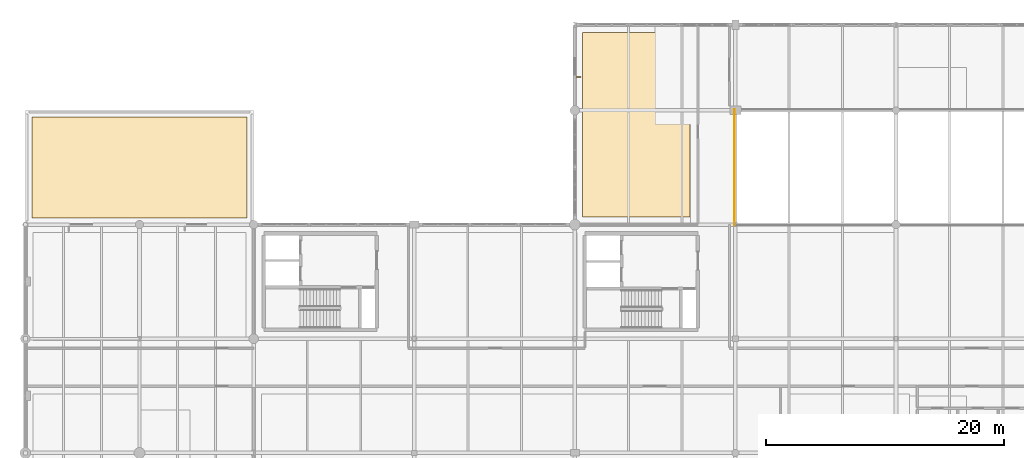
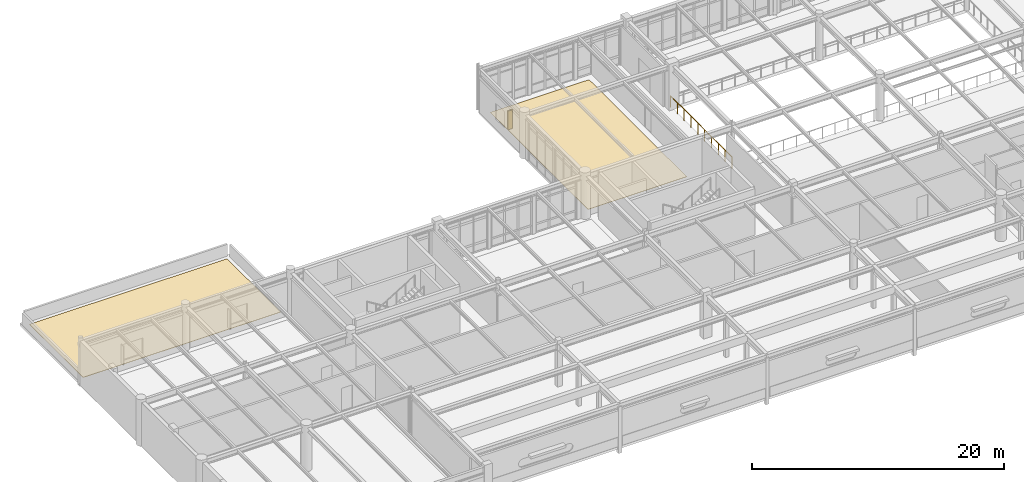
# One storey, part 57 of 61: 2 coverings, 1 railing, 1 shading device.
"""IFC4 building model written with IfcOpenShell, lengths in metres."""

from ifc_helpers import new_model, si_unit, direction, frame, origin, origin_2d, place, context, subcontext, project, spatial, polyline, rectangle, circle, outline, extrude, material, layer, layer_set, type_object, element, save


model = new_model("IFC4")

# Units and contexts
model_context = context("Model", 3, precision=1e-05, world=origin(), true_north=direction((0.0, 1.0)))
body_context = subcontext(model_context, "Body", "Model", "MODEL_VIEW")
ifc_project = project(units=[si_unit("LENGTHUNIT", "METRE"), si_unit("AREAUNIT", "SQUARE_METRE"), si_unit("VOLUMEUNIT", "CUBIC_METRE"), si_unit("PLANEANGLEUNIT", "RADIAN"), si_unit("MASSUNIT", "GRAM", prefix="KILO")], contexts=[model_context])

# Site, building, storey
site_placement = place(None, origin())
site = spatial("IfcSite", under=ifc_project, at=site_placement, CompositionType="ELEMENT")
building_placement = place(site_placement, origin())
building = spatial("IfcBuilding", under=site, at=building_placement, Name="Fikremerkos Civic Library", CompositionType="ELEMENT")
storey_placement = place(building_placement, frame((0.0, 0.0, 14.39990234375)))
storey = spatial("IfcBuildingStorey", under=building, at=storey_placement, Name="L03", CompositionType="ELEMENT", Elevation=14.39990234375)

# Covering
ifc_material_1 = material(Name="Polymer modified bitumen roofing")
ifc_layer_1 = layer(ifc_material_1, 0.034912109375, Name="Polymer modified bitumen roofing")
ifc_layer_set_1 = layer_set([ifc_layer_1], Name="Polymer modified bitumen roofing")
covering_type_1 = type_object("IfcCoveringType", Name="Insulated roof waterproofing membrane RFG-01", PredefinedType="ROOFING", material=ifc_layer_set_1)
covering_1_placement = place(storey_placement, origin())
element("IfcCovering", 1, at=covering_1_placement, inside=storey, type_object=covering_type_1, Name="Roof waterproofing membrane RFG-01 RF-L03-V5M", PredefinedType="ROOFING", context=body_context, shape_type="SweptSolid", body=[
    extrude(outline(polyline([(0.550048828125, 31.75), (18.64990234375, 31.75), (18.64990234375, 40.25), (0.550048828125, 40.25), (0.550048828125, 31.75)])), origin(), (0.0, 0.0, 1.0), 0.03515625),
])

# Railing
ifc_material_2 = material(Name="Painted Steel S275", Category="steel")
railing_type = type_object("IfcRailingType", Name="Interior balustrade guard RLG-INT 1100", PredefinedType="BALUSTRADE", material=ifc_material_2)
railing_placement = place(storey_placement, frame((59.6201171875, 31.1201171875, 0.0)))
element("IfcRailing", 2, at=railing_placement, inside=storey, type_object=railing_type, Name="Atrium void balustrade guard L03 W", PredefinedType="BALUSTRADE", context=body_context, shape_type="SweptSolid", body=[
    extrude(circle(Radius=0.02392578125, at=origin_2d()), frame((0.0, 0.0, 1.076171875), z_axis=(0.0, 1.0, 0.0), x_axis=(-1.0, 0.0, 0.0)), (0.0, 0.0, 1.0), 9.759765625),
    extrude(circle(Radius=0.02099609375, at=origin_2d()), origin(), (0.0, 0.0, 1.0), 1.052001953125),
    extrude(circle(Radius=0.02099609375, at=origin_2d()), frame((0.0, 1.08447265625, 0.0)), (0.0, 0.0, 1.0), 1.052001953125),
    extrude(circle(Radius=0.02099609375, at=origin_2d()), frame((0.0, 2.1689453125, 0.0)), (0.0, 0.0, 1.0), 1.052001953125),
    extrude(circle(Radius=0.02099609375, at=origin_2d()), frame((0.0, 3.253173828125, 0.0)), (0.0, 0.0, 1.0), 1.052001953125),
    extrude(circle(Radius=0.02099609375, at=origin_2d()), frame((0.0, 4.337646484375, 0.0)), (0.0, 0.0, 1.0), 1.052001953125),
    extrude(circle(Radius=0.02099609375, at=origin_2d()), frame((0.0, 5.422119140625, 0.0)), (0.0, 0.0, 1.0), 1.052001953125),
    extrude(circle(Radius=0.02099609375, at=origin_2d()), frame((0.0, 6.506591796875, 0.0)), (0.0, 0.0, 1.0), 1.052001953125),
    extrude(circle(Radius=0.02099609375, at=origin_2d()), frame((0.0, 7.5908203125, 0.0)), (0.0, 0.0, 1.0), 1.052001953125),
    extrude(circle(Radius=0.02099609375, at=origin_2d()), frame((0.0, 8.67529296875, 0.0)), (0.0, 0.0, 1.0), 1.052001953125),
    extrude(circle(Radius=0.02099609375, at=origin_2d()), frame((0.0, 9.759765625, 0.0)), (0.0, 0.0, 1.0), 1.052001953125),
])

# Shading device
ifc_material_3 = material(Name="Bronze anodized aluminium", Category="aluminium")
shading_device_type = type_object("IfcShadingDeviceType", Name="Perforated bronze vertical solar fin SHD-02", PredefinedType="USERDEFINED", material=ifc_material_3)
shading_device_placement = place(storey_placement, frame((46.510009765625, 43.607421875, 0.8251953125), z_axis=(0.0, 0.0, 1.0), x_axis=(0.0, 1.0, 0.0)))
element("IfcShadingDevice", 3, at=shading_device_placement, inside=storey, type_object=shading_device_type, Name="Vertical bronze solar fin SHD-02 L03 #52", ObjectType="SOLAR FIN", PredefinedType="USERDEFINED", context=body_context, shape_type="SweptSolid", body=[
    extrude(rectangle(XDim=0.080078125, YDim=0.39990234375, at=origin_2d()), origin(), (0.0, 0.0, 1.0), 1.800048828125),
])

# Covering
ifc_material_4 = material(Name="Polished basalt terrazzo", Category="masonry")
ifc_layer_2 = layer(ifc_material_4, 0.030029296875, Name="Polished basalt terrazzo")
ifc_layer_set_2 = layer_set([ifc_layer_2], Name="Polished basalt terrazzo")
covering_type_2 = type_object("IfcCoveringType", Name="Polished basalt terrazzo flooring FLR-01", PredefinedType="FLOORING", material=ifc_layer_set_2)
covering_2_placement = place(storey_placement, origin())
element("IfcCovering", 4, at=covering_2_placement, inside=storey, type_object=covering_type_2, Name="Terrazzo floor finish Board and Conference Seminar Room", PredefinedType="FLOORING", context=body_context, shape_type="SweptSolid", body=[
    extrude(outline(polyline([(46.85009765625, 31.85009765625), (46.85009765625, 47.35009765625), (55.89990234375, 47.35009765625), (55.89990234375, 31.85009765625), (46.85009765625, 31.85009765625)])), origin(), (0.0, 0.0, 1.0), 0.030029296875),
])

save(model, "model.ifc")
